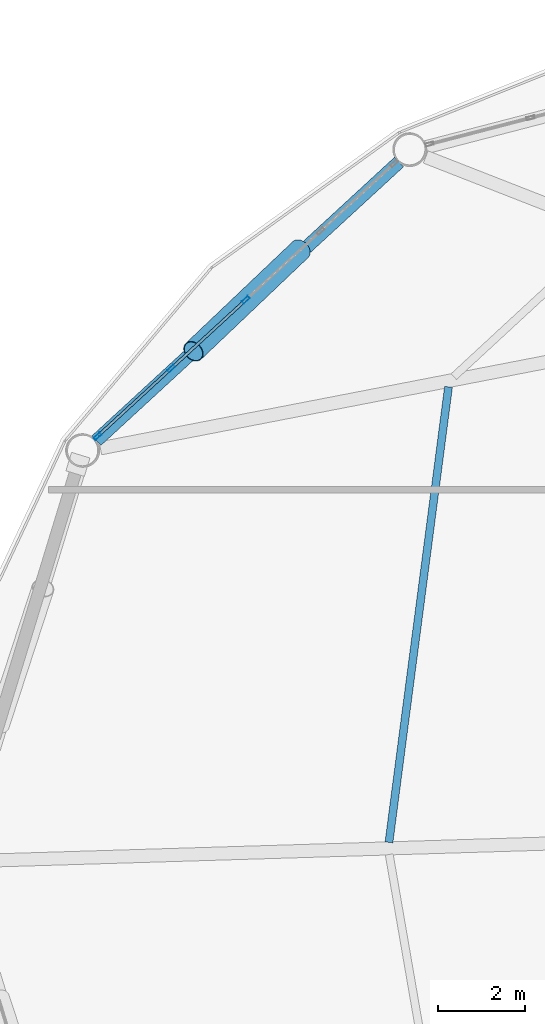
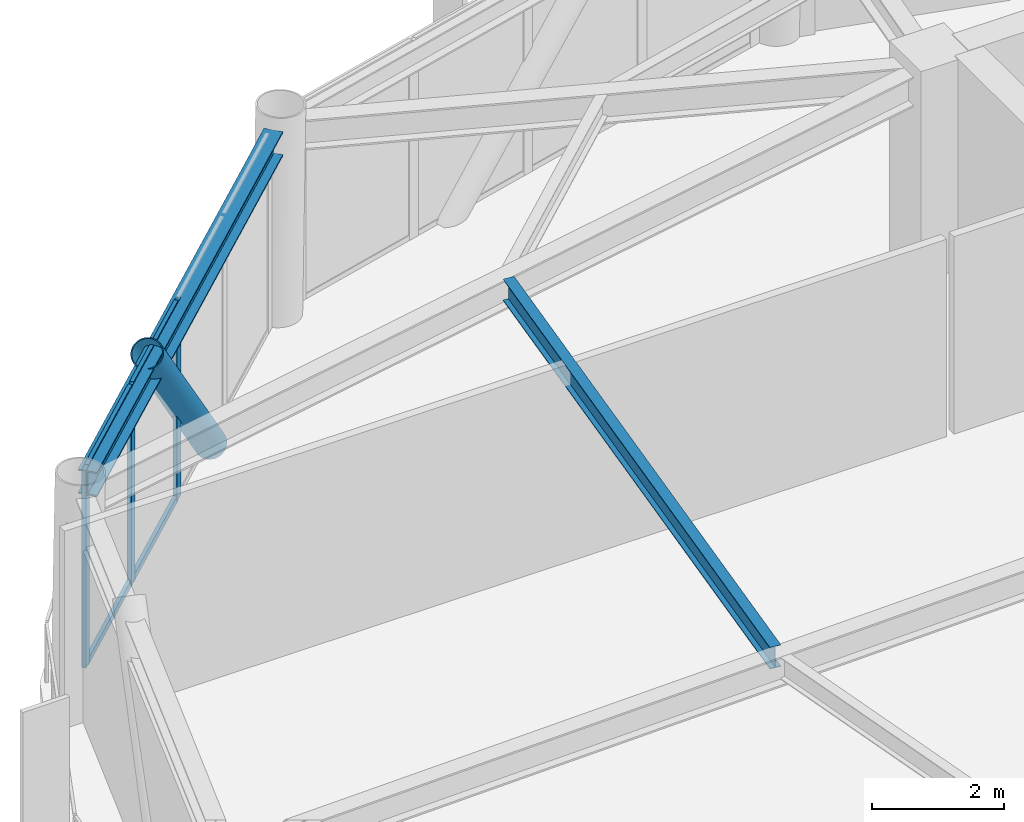
# One storey, part 11 of 24: 8 members, 2 beams, 1 element without a shape of its own.
"""IFC4 building model written with IfcOpenShell, lengths in metres."""

from ifc_helpers import new_model, si_unit, direction, frame, origin, origin_2d, place, context, subcontext, project, spatial, hollow_rectangle, hollow_circle, i_section, extrude, material, layer, layer_set, material_profile, profile_set, type_object, element, aggregate, save


model = new_model("IFC4")

# Units and contexts
model_context = context("Model", 3, precision=1e-05, world=origin(), true_north=direction((0.0, 1.0)))
body_context = subcontext(model_context, "Body", "Model", "MODEL_VIEW")
ifc_project = project(units=[si_unit("LENGTHUNIT", "METRE"), si_unit("AREAUNIT", "SQUARE_METRE"), si_unit("VOLUMEUNIT", "CUBIC_METRE"), si_unit("PLANEANGLEUNIT", "RADIAN"), si_unit("MASSUNIT", "GRAM", prefix="KILO")], contexts=[model_context])

# Site, building, storey
site_placement = place(None, origin())
site = spatial("IfcSite", under=ifc_project, at=site_placement, CompositionType="ELEMENT")
building_placement = place(site_placement, origin())
building = spatial("IfcBuilding", under=site, at=building_placement, Name="Varnakorn Sky Granary", CompositionType="ELEMENT")
storey_placement = place(building_placement, frame((0.0, 0.0, 161.699951171875)))
storey = spatial("IfcBuildingStorey", under=building, at=storey_placement, Name="L40", CompositionType="ELEMENT", Elevation=161.699951171875)

# Beams
ifc_material_1 = material(Name="Steel S355JR", Category="steel")
ifc_material_profile_1 = material_profile(ifc_material_1, i_section(OverallWidth=0.179931640625, OverallDepth=0.39990234375, WebThickness=0.008544921875, FlangeThickness=0.013427734375, at=origin_2d()), Name="IPE 400")
ifc_profile_set_1 = profile_set([ifc_material_profile_1], Name="Steel S355JR")
beam_type_1 = type_object("IfcBeamType", Name="BM-SEC-Z3", PredefinedType="BEAM", material=ifc_profile_set_1)
beam_1_placement = place(storey_placement, frame((-10.830322265625, 10.856689453125, 3.43994140625), z_axis=(-0.129629229952, -0.991562535971, 0.0), x_axis=(0.991562535971, -0.129629229952, 0.0)))
element("IfcBeam", 1, at=beam_1_placement, inside=storey, type_object=beam_type_1, Name="Secondary Floor Chord Beam MSB06 L40", PredefinedType="BEAM", context=body_context, shape_type="SweptSolid", body=[
    extrude(i_section(OverallWidth=0.179931640625, OverallDepth=0.39990234375, WebThickness=0.008544921875, FlangeThickness=0.013427734375, at=origin_2d()), origin(), (0.0, 0.0, 1.0), 10.50732421875),
])
ifc_material_profile_2 = material_profile(ifc_material_1, i_section(OverallWidth=0.300048828125, OverallDepth=0.449951171875, WebThickness=0.013916015625, FlangeThickness=0.02587890625, at=origin_2d()), Name="HE 450 B")
ifc_profile_set_2 = profile_set([ifc_material_profile_2], Name="Steel S355JR")
beam_type_2 = type_object("IfcBeamType", Name="BM-SPD-Z3", PredefinedType="SPANDREL", material=ifc_profile_set_2)
beam_2_placement = place(storey_placement, frame((-11.960205078125, 16.001220703125, 3.4150390625), z_axis=(-0.735734961575, -0.677269566949, 0.0), x_axis=(0.677269566949, -0.735734961575, 0.0)))
element("IfcBeam", 2, at=beam_2_placement, inside=storey, type_object=beam_type_2, Name="Perimeter Spandrel Ring Beam RB05 L40", PredefinedType="SPANDREL", context=body_context, shape_type="SweptSolid", body=[
    extrude(i_section(OverallWidth=0.300048828125, OverallDepth=0.449951171875, WebThickness=0.013916015625, FlangeThickness=0.02587890625, at=origin_2d()), origin(), (0.0, 0.0, 1.0), 9.408203125),
])

# Curtain wall, members
ifc_material_2 = material(Name="Anodised Bronze Aluminium Alloy 6063-T6", Category="aluminium")
ifc_layer = layer(ifc_material_2, 0.179931640625, Name="Anodised Bronze Aluminium Alloy 6063-T6")
ifc_layer_set = layer_set([ifc_layer], Name="Anodised Bronze Aluminium Alloy 6063-T6")
curtain_wall_type = type_object("IfcCurtainWallType", Name="CW-FRM-2", PredefinedType="USERDEFINED", material=ifc_layer_set)
curtain_wall_placement = place(storey_placement, origin())
curtain_wall = element("IfcCurtainWall", 3, at=curtain_wall_placement, inside=storey, type_object=curtain_wall_type, Name="Unitised Curtain Wall CW4 CW-L40-B05", ObjectType="CURTAIN WALL", PredefinedType="USERDEFINED")
ifc_material_profile_3 = material_profile(ifc_material_2, hollow_rectangle(XDim=0.070068359375, YDim=0.18505859375, WallThickness=0.00390625, at=origin_2d()), Name="ALU MULL 70x185")
ifc_profile_set_3 = profile_set([ifc_material_profile_3], Name="Anodised Bronze Aluminium Alloy 6063-T6")
member_type_1 = type_object("IfcMemberType", Name="CW-FRM-2-MULL", PredefinedType="MULLION", material=ifc_profile_set_3)
member_1_placement = place(storey_placement, frame((-18.858154296875, 9.727294921875, 0.0), z_axis=(0.0, 0.0, 1.0), x_axis=(-0.677011277308, 0.735972642425, 0.0)))
member_1 = element("IfcMember", 4, at=member_1_placement, type_object=member_type_1, Name="CW4 mullion 1", PredefinedType="MULLION", context=body_context, shape_type="SweptSolid", body=[
    extrude(hollow_rectangle(XDim=0.070068359375, YDim=0.18505859375, WallThickness=0.00390625, at=origin_2d()), origin(), (0.0, 0.0, 1.0), 3.64013671875),
])
member_2_placement = place(storey_placement, frame((-17.175048828125, 11.275634765625, 0.0), z_axis=(0.0, 0.0, 1.0), x_axis=(-0.677011277308, 0.735972642425, 0.0)))
member_2 = element("IfcMember", 5, at=member_2_placement, type_object=member_type_1, Name="CW4 mullion 2", PredefinedType="MULLION", context=body_context, shape_type="SweptSolid", body=[
    extrude(hollow_rectangle(XDim=0.070068359375, YDim=0.18505859375, WallThickness=0.00390625, at=origin_2d()), origin(), (0.0, 0.0, 1.0), 3.64013671875),
])
member_3_placement = place(storey_placement, frame((-15.46630859375, 12.847412109375, 0.0), z_axis=(0.0, 0.0, 1.0), x_axis=(-0.677011277308, 0.735972642425, 0.0)))
member_3 = element("IfcMember", 6, at=member_3_placement, type_object=member_type_1, Name="CW4 mullion 3", PredefinedType="MULLION", context=body_context, shape_type="SweptSolid", body=[
    extrude(hollow_rectangle(XDim=0.070068359375, YDim=0.18505859375, WallThickness=0.00390625, at=origin_2d()), origin(), (0.0, 0.0, 1.0), 3.64013671875),
])
ifc_material_profile_4 = material_profile(ifc_material_2, hollow_rectangle(XDim=0.06494140625, YDim=0.1201171875, WallThickness=0.00341796875, at=origin_2d()), Name="ALU TRAN 65x120")
ifc_profile_set_4 = profile_set([ifc_material_profile_4], Name="Anodised Bronze Aluminium Alloy 6063-T6")
member_type_2 = type_object("IfcMemberType", Name="CW-FRM-2-TRAN", PredefinedType="USERDEFINED", material=ifc_profile_set_4)
member_4_placement = place(storey_placement, frame((-18.832275390625, 9.7509765625, 0.032470703125), z_axis=(0.735955158094, 0.677030283868, 0.0), x_axis=(-0.677030283868, 0.735955158094, 0.0)))
member_4 = element("IfcMember", 7, at=member_4_placement, type_object=member_type_2, Name="CW4 transom 1.1", ObjectType="TRANSOM", PredefinedType="USERDEFINED", context=body_context, shape_type="SweptSolid", body=[
    extrude(hollow_rectangle(XDim=0.06494140625, YDim=0.1201171875, WallThickness=0.00341796875, at=origin_2d()), origin(), (0.0, 0.0, 1.0), 2.216552734375),
])
member_5_placement = place(storey_placement, frame((-18.832275390625, 9.7509765625, 3.607666015625), z_axis=(0.735955158094, 0.677030283868, 0.0), x_axis=(-0.677030283868, 0.735955158094, 0.0)))
member_5 = element("IfcMember", 8, at=member_5_placement, type_object=member_type_2, Name="CW4 transom 1.2", ObjectType="TRANSOM", PredefinedType="USERDEFINED", context=body_context, shape_type="SweptSolid", body=[
    extrude(hollow_rectangle(XDim=0.06494140625, YDim=0.1201171875, WallThickness=0.00341796875, at=origin_2d()), origin(), (0.0, 0.0, 1.0), 2.216552734375),
])
member_6_placement = place(storey_placement, frame((-17.1494140625, 11.29931640625, 0.032470703125), z_axis=(0.736032560773, 0.676946134845, 0.0), x_axis=(-0.676946134845, 0.736032560773, 0.0)))
member_6 = element("IfcMember", 9, at=member_6_placement, type_object=member_type_2, Name="CW4 transom 2.1", ObjectType="TRANSOM", PredefinedType="USERDEFINED", context=body_context, shape_type="SweptSolid", body=[
    extrude(hollow_rectangle(XDim=0.06494140625, YDim=0.1201171875, WallThickness=0.00341796875, at=origin_2d()), origin(), (0.0, 0.0, 1.0), 2.251953125),
])
member_7_placement = place(storey_placement, frame((-17.1494140625, 11.29931640625, 3.607666015625), z_axis=(0.736032560773, 0.676946134845, 0.0), x_axis=(-0.676946134845, 0.736032560773, 0.0)))
member_7 = element("IfcMember", 10, at=member_7_placement, type_object=member_type_2, Name="CW4 transom 2.2", ObjectType="TRANSOM", PredefinedType="USERDEFINED", context=body_context, shape_type="SweptSolid", body=[
    extrude(hollow_rectangle(XDim=0.06494140625, YDim=0.1201171875, WallThickness=0.00341796875, at=origin_2d()), origin(), (0.0, 0.0, 1.0), 2.251953125),
])
aggregate(curtain_wall, [member_1, member_2, member_3, member_4, member_5, member_6, member_7])

# Member
ifc_material_3 = material(Name="Steel S460M", Category="steel")
ifc_material_profile_5 = material_profile(ifc_material_3, hollow_circle(Radius=0.25390625, WallThickness=0.01806640625, at=origin_2d()), Name="CHS 508x18")
ifc_profile_set_5 = profile_set([ifc_material_profile_5], Name="Steel S460M")
member_type_3 = type_object("IfcMemberType", Name="MB-DIAG-T2", PredefinedType="BRACE", material=ifc_profile_set_5)
member_8_placement = place(storey_placement, frame((-14.21875, 13.994873046875, -0.1298828125), z_axis=(-0.472891431381, -0.449383751921, 0.757910243786), x_axis=(0.688859751832, -0.724894642211, 0.0)))
element("IfcMember", 11, at=member_8_placement, inside=storey, type_object=member_type_3, Name="Perimeter CHS Diagrid Brace DG05 L40", PredefinedType="BRACE", context=body_context, shape_type="SweptSolid", body=[
    extrude(hollow_circle(Radius=0.25390625, WallThickness=0.01806640625, at=origin_2d()), origin(), (0.0, 0.0, 1.0), 5.172119140625),
])

save(model, "model.ifc")
